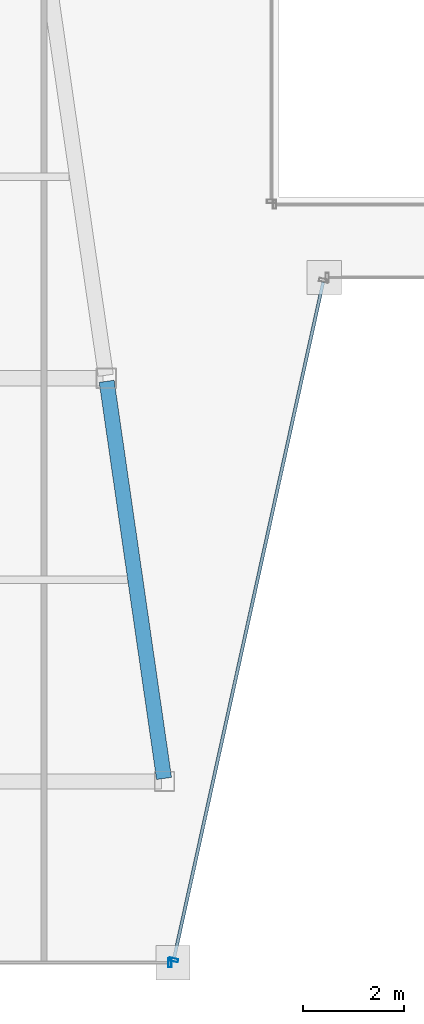
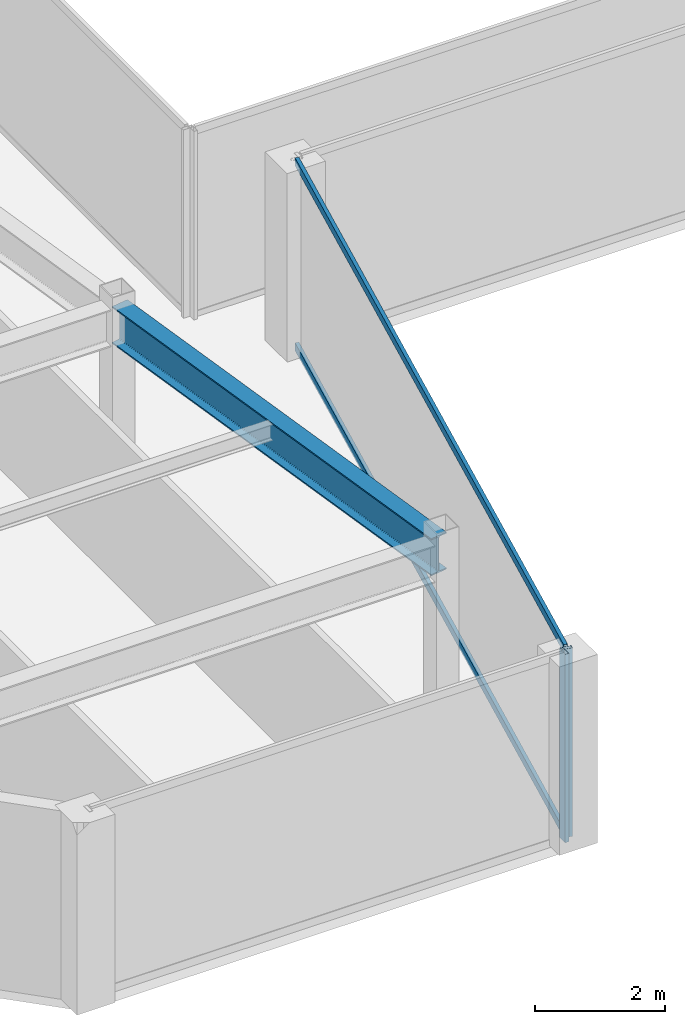
# One storey, part 6 of 35: 4 members, 1 beam, 2 elements without a shape of their own.
"""IFC4 building model written with IfcOpenShell, lengths in metres."""

import ifcopenshell
import ifcopenshell.guid

model = None  # the IFC model being written
_history = None  # IfcOwnerHistory: only IFC2X3 demands one
_inside = {}  # id of a spatial element -> (the spatial element, [elements in it])
_under = {}  # id of a project, library or spatial element -> (it, [spatial elements below it])
_declared = {}  # id of a project -> (the project, [libraries it declares])
_typed = {}  # id of a type object -> (the type object, [elements of that type])
_made_of = {}  # id of a material, layer set ... -> (it, [elements and type objects made of it])


def new_model(schema):
    """Start an empty IFC model of exactly this schema.

    Asked for "IFC4X3", IfcOpenShell would pick the latest addendum, in which some entities
    have other attributes; the version numbers below select the first issue.
    IFC2X3 requires an IfcOwnerHistory on every rooted entity: one is made here for all.
    """
    global model, _history
    if schema == "IFC4X3":
        model = ifcopenshell.file(schema_version=(4, 3, 0, 0))
    else:
        model = ifcopenshell.file(schema=schema)
    _inside.clear()
    _under.clear()
    _declared.clear()
    _typed.clear()
    _made_of.clear()
    _history = None
    if model.schema == "IFC2X3":
        org = make("IfcOrganization", Name="unknown")
        user = make(
            "IfcPersonAndOrganization",
            ThePerson=make("IfcPerson", FamilyName="unknown"),
            TheOrganization=org,
        )
        app = make(
            "IfcApplication",
            ApplicationDeveloper=org,
            Version="unknown",
            ApplicationFullName="unknown",
            ApplicationIdentifier="unknown",
        )
        _history = make(
            "IfcOwnerHistory",
            OwningUser=user,
            OwningApplication=app,
            ChangeAction="ADDED",
            CreationDate=0,
        )
    return model


def make(cls, **values):
    """One entity of the class cls with the attributes given. An attribute that is None is left unset."""
    return model.create_entity(
        cls, **{name: value for name, value in values.items() if value is not None}
    )


def rooted(cls, **values):
    """An entity with a GlobalId (a new one), such as an element, a storey or a relation."""
    return make(cls, GlobalId=ifcopenshell.guid.new(), OwnerHistory=_history, **values)


def si_unit(unit_type, name, prefix=None):
    """IfcSIUnit, for example si_unit("LENGTHUNIT", "METRE", prefix="MILLI")."""
    return make("IfcSIUnit", UnitType=unit_type, Prefix=prefix, Name=name)


def assignment(units):
    """IfcUnitAssignment: the units of a project."""
    return None if units is None else make("IfcUnitAssignment", Units=units)


def point(xyz):
    """IfcCartesianPoint."""
    return None if xyz is None else make("IfcCartesianPoint", Coordinates=xyz)


def direction(xyz):
    """IfcDirection."""
    return None if xyz is None else make("IfcDirection", DirectionRatios=xyz)


def frame(location, z_axis=None, x_axis=None):
    """IfcAxis2Placement3D, a coordinate frame: its origin and axes. An axis left out is left unset."""
    return make(
        "IfcAxis2Placement3D",
        Location=point(location),
        Axis=direction(z_axis),
        RefDirection=direction(x_axis),
    )


def frame_2d(location, x_axis=None):
    """IfcAxis2Placement2D, a coordinate frame in the plane: its origin and x axis."""
    return make(
        "IfcAxis2Placement2D", Location=point(location), RefDirection=direction(x_axis)
    )


def origin():
    """The frame at (0, 0, 0) with its axes left unset."""
    return frame((0.0, 0.0, 0.0))


def origin_2d():
    """The frame at (0, 0) in the plane with its x axis left unset."""
    return frame_2d((0.0, 0.0))


def place(relative_to, where):
    """IfcLocalPlacement: puts the frame where relative to a parent placement (None: the world)."""
    return make(
        "IfcLocalPlacement", PlacementRelTo=relative_to, RelativePlacement=where
    )


def context(
    kind, dimensions, precision=None, world=None, true_north=None, identifier=None
):
    """IfcGeometricRepresentationContext, for example the 3D "Model" context."""
    return make(
        "IfcGeometricRepresentationContext",
        ContextIdentifier=identifier,
        ContextType=kind,
        CoordinateSpaceDimension=dimensions,
        Precision=precision,
        WorldCoordinateSystem=world,
        TrueNorth=true_north,
    )


def subcontext(parent, identifier, kind, view, scale=None):
    """IfcGeometricRepresentationSubContext, for example "Body" below "Model"."""
    return make(
        "IfcGeometricRepresentationSubContext",
        ContextIdentifier=identifier,
        ContextType=kind,
        ParentContext=parent,
        TargetScale=scale,
        TargetView=view,
    )


def project(units=None, contexts=None):
    """IfcProject with its units and contexts."""
    return rooted(
        "IfcProject",
        Name="project",
        RepresentationContexts=contexts,
        UnitsInContext=assignment(units),
    )


def spatial(cls, under=None, at=None, **own):
    """A site, building, storey or space (cls), placed at a placement, below another one or the project."""
    s = rooted(cls, ObjectPlacement=at, **own)
    if under is not None:
        _under.setdefault(under.id(), (under, []))[1].append(s)
    return s


def profile(cls, at=None, kind="AREA", **sizes):
    """A parametric profile (cls). Its sizes go by their IFC names, for example OverallWidth=200.0."""
    return make(cls, ProfileType=kind, Position=at, **sizes)


def hollow_rectangle(**sizes):
    """IfcRectangleHollowProfileDef."""
    return profile("IfcRectangleHollowProfileDef", **sizes)


def i_section(**sizes):
    """IfcIShapeProfileDef."""
    return profile("IfcIShapeProfileDef", **sizes)


def extrude(swept, where, along, depth):
    """IfcExtrudedAreaSolid: the profile swept, set in the frame where, extruded along a direction by depth."""
    return make(
        "IfcExtrudedAreaSolid",
        SweptArea=swept,
        Position=where,
        ExtrudedDirection=direction(along),
        Depth=depth,
    )


def shape(context_of_items, identifier, shape_type, items):
    """IfcShapeRepresentation: the items that make up one representation, for example the "Body"."""
    return make(
        "IfcShapeRepresentation",
        ContextOfItems=context_of_items,
        RepresentationIdentifier=identifier,
        RepresentationType=shape_type,
        Items=items,
    )


def material(Name=None, Category=None):
    """IfcMaterial."""
    return make("IfcMaterial", Name=Name, Category=Category)


def material_profile(
    of_material, cross_section, Name=None, Category=None, Priority=None
):
    """IfcMaterialProfile: a cross section and its material."""
    return make(
        "IfcMaterialProfile",
        Name=Name,
        Material=of_material,
        Profile=cross_section,
        Priority=Priority,
        Category=Category,
    )


def profile_set(profiles, Name=None, composite=None):
    """IfcMaterialProfileSet."""
    return make(
        "IfcMaterialProfileSet",
        Name=Name,
        MaterialProfiles=profiles,
        CompositeProfile=composite,
    )


def made_of(thing, what):
    """Note that an element or type object is made of a material, layer set ...; save() writes the relation."""
    if what is not None:
        _made_of.setdefault(what.id(), (what, []))[1].append(thing)
    return thing


def type_object(cls, material=None, **own):
    """A type object (cls), such as IfcWallType, which elements share."""
    return made_of(rooted(cls, **own), material)


def element(
    cls,
    number,
    at=None,
    inside=None,
    cuts=None,
    type_object=None,
    material=None,
    context=None,
    identifier="Body",
    shape_type=None,
    held_by="IfcProductDefinitionShape",
    body=None,
    shapes=None,
    **own,
):
    """One element of the class cls, such as IfcWall. Its Tag is "e" and its number.

    at: its placement. inside: the storey or other place that contains it. cuts: it is an
    opening in that element (IfcRelVoidsElement). A single representation is given by context,
    identifier, shape_type and body (its items); several are given by shapes. held_by: the class
    of the entity that holds the representations. save() writes the other relations.
    """
    e = rooted(cls, Tag="e%d" % number, ObjectPlacement=at, **own)
    if body is not None:
        shapes = [shape(context, identifier, shape_type, body)]
    if shapes is not None:
        e.Representation = make(held_by, Representations=shapes)
    if inside is not None:
        _inside.setdefault(inside.id(), (inside, []))[1].append(e)
    if cuts is not None:
        rooted(
            "IfcRelVoidsElement", RelatingBuildingElement=cuts, RelatedOpeningElement=e
        )
    if type_object is not None:
        _typed.setdefault(type_object.id(), (type_object, []))[1].append(e)
    return made_of(e, material)


def aggregate(whole, parts):
    """IfcRelAggregates: a whole, such as a stair, and the parts it consists of."""
    return rooted("IfcRelAggregates", RelatingObject=whole, RelatedObjects=parts)


def save(model, path):
    """Write the relations noted so far, then the file.

    IfcRelAggregates (storeys below a building ...), IfcRelContainedInSpatialStructure (elements
    in a storey), IfcRelDefinesByType, IfcRelAssociatesMaterial and IfcRelDeclares: one each for
    every whole, place, type object, material and project.
    """
    for whole, parts in _under.values():
        aggregate(whole, parts)
    for where, things in _inside.values():
        rooted(
            "IfcRelContainedInSpatialStructure",
            RelatedElements=things,
            RelatingStructure=where,
        )
    for kind, things in _typed.values():
        rooted("IfcRelDefinesByType", RelatedObjects=things, RelatingType=kind)
    for what, things in _made_of.values():
        rooted("IfcRelAssociatesMaterial", RelatedObjects=things, RelatingMaterial=what)
    for by, libraries in _declared.values():
        rooted("IfcRelDeclares", RelatingContext=by, RelatedDefinitions=libraries)
    model.write(path)


model = new_model("IFC4")

# Units and contexts
model_context = context("Model", 3, precision=1e-05, world=origin(), true_north=direction((0.0, 1.0)))
body_context = subcontext(model_context, "Body", "Model", "MODEL_VIEW")
ifc_project = project(units=[si_unit("LENGTHUNIT", "METRE"), si_unit("AREAUNIT", "SQUARE_METRE"), si_unit("VOLUMEUNIT", "CUBIC_METRE"), si_unit("PLANEANGLEUNIT", "RADIAN"), si_unit("MASSUNIT", "GRAM", prefix="KILO")], contexts=[model_context])

# Site, building, storey
site_placement = place(None, origin())
site = spatial("IfcSite", under=ifc_project, at=site_placement, CompositionType="ELEMENT")
building_placement = place(site_placement, origin())
building = spatial("IfcBuilding", under=site, at=building_placement, Name="Saevonmaru Cultural Tower", CompositionType="ELEMENT")
storey_placement = place(building_placement, frame((0.0, 0.0, 194.199951171875)))
storey = spatial("IfcBuildingStorey", under=building, at=storey_placement, Name="L44", CompositionType="ELEMENT", Elevation=194.199951171875)

# Beam
ifc_material_1 = material(Name="Steel SM355", Category="steel")
ifc_material_profile_1 = material_profile(ifc_material_1, i_section(OverallWidth=0.300048828125, OverallDepth=0.699951171875, WebThickness=0.012939453125, FlangeThickness=0.02392578125, FilletRadius=0.02587890625, at=origin_2d()), Name="H-700x300x13x24")
ifc_profile_set_1 = profile_set([ifc_material_profile_1], Name="Steel SM355")
beam_type = type_object("IfcBeamType", Name="BM-G-H700", PredefinedType="BEAM", material=ifc_profile_set_1)
beam_placement = place(storey_placement, frame((21.91943359375, 16.059326171875, 3.199951171875), z_axis=(-0.143022161059, 0.989719486241, 0.0), x_axis=(-0.989719486241, -0.143022161059, 0.0)))
element("IfcBeam", 1, at=beam_placement, inside=storey, type_object=beam_type, Name="L44 West Atrium Girder 1", PredefinedType="BEAM", context=body_context, shape_type="SweptSolid", body=[
    extrude(i_section(OverallWidth=0.300048828125, OverallDepth=0.699951171875, WebThickness=0.012939453125, FlangeThickness=0.02392578125, FilletRadius=0.02587890625, at=origin_2d()), origin(), (0.0, 0.0, 1.0), 7.963134765625),
])

# Curtain wall, member
ifc_material_2 = material(Name="Satin Bronze Anodised Aluminium", Category="aluminium")
curtain_wall_type = type_object("IfcCurtainWallType", Name="CW-TYP-B", PredefinedType="NOTDEFINED", material=ifc_material_2)
curtain_wall_1_placement = place(storey_placement, origin())
curtain_wall_1 = element("IfcCurtainWall", 2, at=curtain_wall_1_placement, inside=storey, type_object=curtain_wall_type, Name="L44 Unitised Curtain Wall E2", PredefinedType="NOTDEFINED")
ifc_material_profile_2 = material_profile(ifc_material_2, hollow_rectangle(XDim=0.06494140625, YDim=0.179931640625, WallThickness=0.00390625, at=origin_2d()), Name="ALU-MULL-180x65x4")
ifc_profile_set_2 = profile_set([ifc_material_profile_2], Name="Satin Bronze Anodised Aluminium")
member_type_1 = type_object("IfcMemberType", Name="ML-CW-180x65", PredefinedType="MULLION", material=ifc_profile_set_2)
member_1_placement = place(storey_placement, frame((22.037841796875, 12.39990234375, 0.0), z_axis=(0.0, 0.0, 1.0), x_axis=(1.0, 0.0, 0.0)))
member_1 = element("IfcMember", 3, at=member_1_placement, type_object=member_type_1, Name="CW-TW-L44-E2 mullion 2", PredefinedType="MULLION", context=body_context, shape_type="SweptSolid", body=[
    extrude(hollow_rectangle(XDim=0.06494140625, YDim=0.179931640625, WallThickness=0.00390625, at=origin_2d()), origin(), (0.0, 0.0, 1.0), 3.550048828125),
])
aggregate(curtain_wall_1, [member_1])

# Curtain wall, members
curtain_wall_2_placement = place(storey_placement, origin())
curtain_wall_2 = element("IfcCurtainWall", 4, at=curtain_wall_2_placement, inside=storey, type_object=curtain_wall_type, Name="L44 Unitised Curtain Wall E3", PredefinedType="NOTDEFINED")
member_2_placement = place(storey_placement, frame((22.110595703125, 12.45849609375, 0.0), z_axis=(0.0, 0.0, 1.0), x_axis=(0.215413319953, 0.976522965212, 0.0)))
member_2 = element("IfcMember", 5, at=member_2_placement, type_object=member_type_1, Name="CW-TW-L44-E3 mullion 1", PredefinedType="MULLION", context=body_context, shape_type="SweptSolid", body=[
    extrude(hollow_rectangle(XDim=0.06494140625, YDim=0.179931640625, WallThickness=0.00390625, at=origin_2d()), origin(), (0.0, 0.0, 1.0), 3.550048828125),
])
ifc_material_profile_3 = material_profile(ifc_material_2, hollow_rectangle(XDim=0.06494140625, YDim=0.14990234375, WallThickness=0.00390625, at=origin_2d()), Name="ALU-TRAN-150x65x4")
ifc_profile_set_3 = profile_set([ifc_material_profile_3], Name="Satin Bronze Anodised Aluminium")
member_type_2 = type_object("IfcMemberType", Name="TR-CW-150x65", PredefinedType="USERDEFINED", material=ifc_profile_set_3)
member_3_placement = place(storey_placement, frame((22.11767578125, 12.490234375, 0.032470703125), z_axis=(0.21541214732, 0.976523223885, 0.0), x_axis=(-0.976523223885, 0.21541214732, 0.0)))
member_3 = element("IfcMember", 6, at=member_3_placement, type_object=member_type_2, Name="CW-TW-L44-E3 transom 1.1", ObjectType="TRANSOM", PredefinedType="USERDEFINED", context=body_context, shape_type="SweptSolid", body=[
    extrude(hollow_rectangle(XDim=0.06494140625, YDim=0.14990234375, WallThickness=0.00390625, at=origin_2d()), origin(), (0.0, 0.0, 1.0), 13.741943359375),
])
member_4_placement = place(storey_placement, frame((22.11767578125, 12.490234375, 3.517578125), z_axis=(0.21541214732, 0.976523223885, 0.0), x_axis=(-0.976523223885, 0.21541214732, 0.0)))
member_4 = element("IfcMember", 7, at=member_4_placement, type_object=member_type_2, Name="CW-TW-L44-E3 transom 1.2", ObjectType="TRANSOM", PredefinedType="USERDEFINED", context=body_context, shape_type="SweptSolid", body=[
    extrude(hollow_rectangle(XDim=0.06494140625, YDim=0.14990234375, WallThickness=0.00390625, at=origin_2d()), origin(), (0.0, 0.0, 1.0), 13.741943359375),
])
aggregate(curtain_wall_2, [member_2, member_3, member_4])

save(model, "model.ifc")
